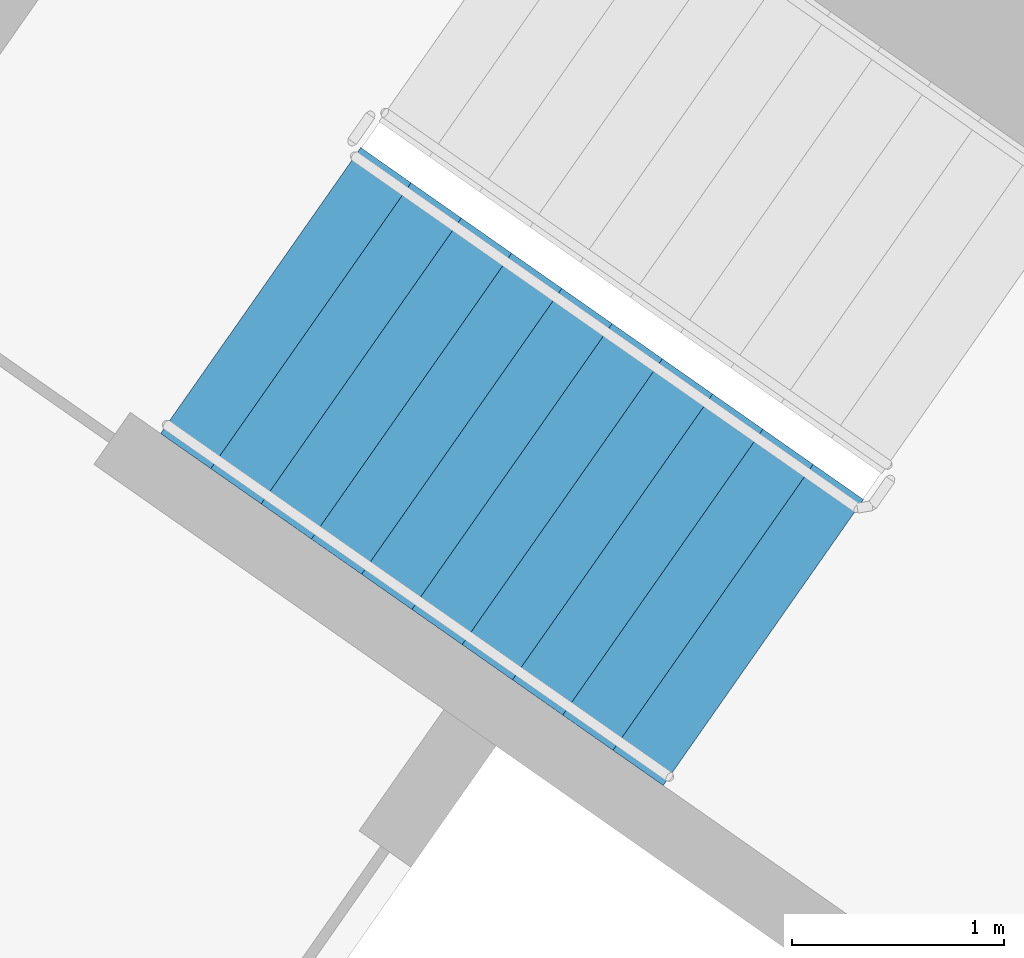
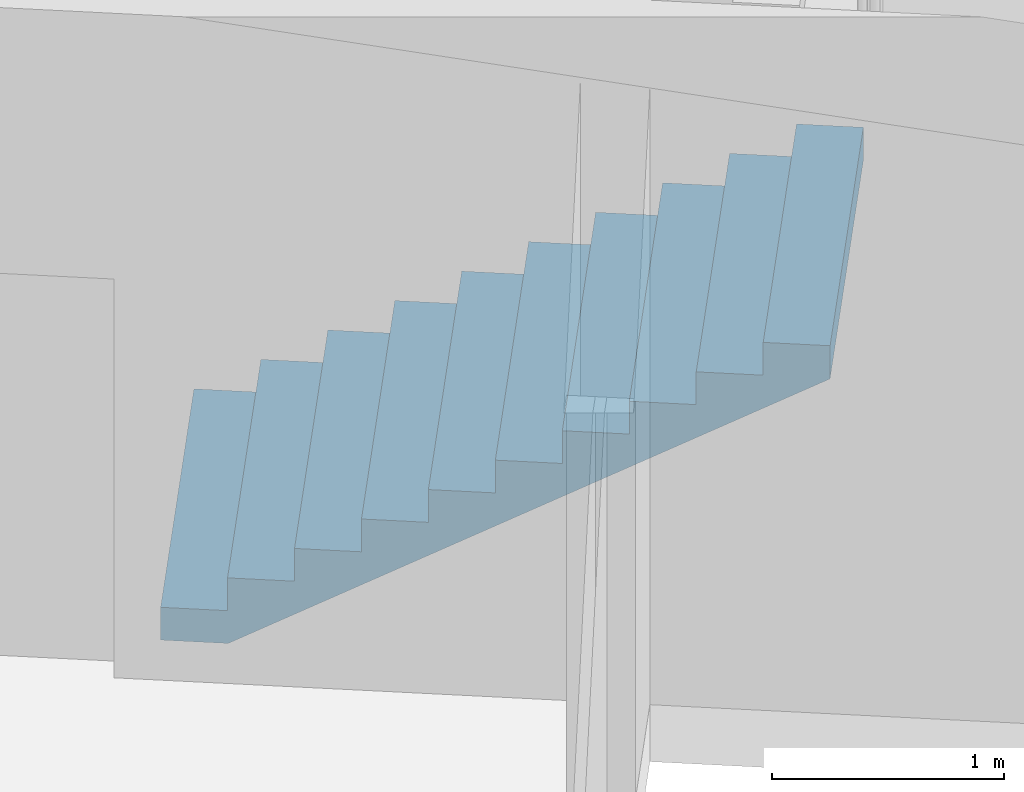
# One storey, part 13 of 27: 1 stair flight, 1 element without a shape of its own.
"""IFC4 building model written with IfcOpenShell, lengths in metres."""

import ifcopenshell
import ifcopenshell.guid

model = None  # the IFC model being written
_history = None  # IfcOwnerHistory: only IFC2X3 demands one
_inside = {}  # id of a spatial element -> (the spatial element, [elements in it])
_under = {}  # id of a project, library or spatial element -> (it, [spatial elements below it])
_declared = {}  # id of a project -> (the project, [libraries it declares])
_typed = {}  # id of a type object -> (the type object, [elements of that type])
_made_of = {}  # id of a material, layer set ... -> (it, [elements and type objects made of it])


def new_model(schema):
    """Start an empty IFC model of exactly this schema.

    Asked for "IFC4X3", IfcOpenShell would pick the latest addendum, in which some entities
    have other attributes; the version numbers below select the first issue.
    IFC2X3 requires an IfcOwnerHistory on every rooted entity: one is made here for all.
    """
    global model, _history
    if schema == "IFC4X3":
        model = ifcopenshell.file(schema_version=(4, 3, 0, 0))
    else:
        model = ifcopenshell.file(schema=schema)
    _inside.clear()
    _under.clear()
    _declared.clear()
    _typed.clear()
    _made_of.clear()
    _history = None
    if model.schema == "IFC2X3":
        org = make("IfcOrganization", Name="unknown")
        user = make(
            "IfcPersonAndOrganization",
            ThePerson=make("IfcPerson", FamilyName="unknown"),
            TheOrganization=org,
        )
        app = make(
            "IfcApplication",
            ApplicationDeveloper=org,
            Version="unknown",
            ApplicationFullName="unknown",
            ApplicationIdentifier="unknown",
        )
        _history = make(
            "IfcOwnerHistory",
            OwningUser=user,
            OwningApplication=app,
            ChangeAction="ADDED",
            CreationDate=0,
        )
    return model


def make(cls, **values):
    """One entity of the class cls with the attributes given. An attribute that is None is left unset."""
    return model.create_entity(
        cls, **{name: value for name, value in values.items() if value is not None}
    )


def rooted(cls, **values):
    """An entity with a GlobalId (a new one), such as an element, a storey or a relation."""
    return make(cls, GlobalId=ifcopenshell.guid.new(), OwnerHistory=_history, **values)


def si_unit(unit_type, name, prefix=None):
    """IfcSIUnit, for example si_unit("LENGTHUNIT", "METRE", prefix="MILLI")."""
    return make("IfcSIUnit", UnitType=unit_type, Prefix=prefix, Name=name)


def assignment(units):
    """IfcUnitAssignment: the units of a project."""
    return None if units is None else make("IfcUnitAssignment", Units=units)


def point(xyz):
    """IfcCartesianPoint."""
    return None if xyz is None else make("IfcCartesianPoint", Coordinates=xyz)


def direction(xyz):
    """IfcDirection."""
    return None if xyz is None else make("IfcDirection", DirectionRatios=xyz)


def frame(location, z_axis=None, x_axis=None):
    """IfcAxis2Placement3D, a coordinate frame: its origin and axes. An axis left out is left unset."""
    return make(
        "IfcAxis2Placement3D",
        Location=point(location),
        Axis=direction(z_axis),
        RefDirection=direction(x_axis),
    )


def origin():
    """The frame at (0, 0, 0) with its axes left unset."""
    return frame((0.0, 0.0, 0.0))


def place(relative_to, where):
    """IfcLocalPlacement: puts the frame where relative to a parent placement (None: the world)."""
    return make(
        "IfcLocalPlacement", PlacementRelTo=relative_to, RelativePlacement=where
    )


def context(
    kind, dimensions, precision=None, world=None, true_north=None, identifier=None
):
    """IfcGeometricRepresentationContext, for example the 3D "Model" context."""
    return make(
        "IfcGeometricRepresentationContext",
        ContextIdentifier=identifier,
        ContextType=kind,
        CoordinateSpaceDimension=dimensions,
        Precision=precision,
        WorldCoordinateSystem=world,
        TrueNorth=true_north,
    )


def subcontext(parent, identifier, kind, view, scale=None):
    """IfcGeometricRepresentationSubContext, for example "Body" below "Model"."""
    return make(
        "IfcGeometricRepresentationSubContext",
        ContextIdentifier=identifier,
        ContextType=kind,
        ParentContext=parent,
        TargetScale=scale,
        TargetView=view,
    )


def project(units=None, contexts=None):
    """IfcProject with its units and contexts."""
    return rooted(
        "IfcProject",
        Name="project",
        RepresentationContexts=contexts,
        UnitsInContext=assignment(units),
    )


def spatial(cls, under=None, at=None, **own):
    """A site, building, storey or space (cls), placed at a placement, below another one or the project."""
    s = rooted(cls, ObjectPlacement=at, **own)
    if under is not None:
        _under.setdefault(under.id(), (under, []))[1].append(s)
    return s


def faces_of(points, faces, orient=None, outer=None):
    """IfcFace entities. A face is a list of loops; a loop is a list of indices into points, from 0.

    orient and outer hold one flag for each loop. By default every Orientation is true, the
    first loop of a face is its IfcFaceOuterBound and the others are IfcFaceBound.
    """
    made = []
    for i, loops in enumerate(faces):
        bounds = []
        for j, loop in enumerate(loops):
            is_outer = j == 0 if outer is None else outer[i][j]
            bounds.append(
                make(
                    "IfcFaceOuterBound" if is_outer else "IfcFaceBound",
                    Bound=make("IfcPolyLoop", Polygon=[points[k] for k in loop]),
                    Orientation=True if orient is None else orient[i][j],
                )
            )
        made.append(make("IfcFace", Bounds=bounds))
    return made


def faceted_brep(points, faces, orient=None, outer=None, voids=None):
    """IfcFacetedBrep: a solid bounded by flat faces; with voids (closed shells), ...WithVoids."""
    shared = [point(p) for p in points]
    hull = make("IfcClosedShell", CfsFaces=faces_of(shared, faces, orient, outer))
    if voids is None:
        return make("IfcFacetedBrep", Outer=hull)
    return make(
        "IfcFacetedBrepWithVoids",
        Outer=hull,
        Voids=[
            make(cls, CfsFaces=faces_of(shared, fs, o, b)) for cls, fs, o, b in voids
        ],
    )


def shape(context_of_items, identifier, shape_type, items):
    """IfcShapeRepresentation: the items that make up one representation, for example the "Body"."""
    return make(
        "IfcShapeRepresentation",
        ContextOfItems=context_of_items,
        RepresentationIdentifier=identifier,
        RepresentationType=shape_type,
        Items=items,
    )


def material(Name=None, Category=None):
    """IfcMaterial."""
    return make("IfcMaterial", Name=Name, Category=Category)


def made_of(thing, what):
    """Note that an element or type object is made of a material, layer set ...; save() writes the relation."""
    if what is not None:
        _made_of.setdefault(what.id(), (what, []))[1].append(thing)
    return thing


def type_object(cls, material=None, **own):
    """A type object (cls), such as IfcWallType, which elements share."""
    return made_of(rooted(cls, **own), material)


def element(
    cls,
    number,
    at=None,
    inside=None,
    cuts=None,
    type_object=None,
    material=None,
    context=None,
    identifier="Body",
    shape_type=None,
    held_by="IfcProductDefinitionShape",
    body=None,
    shapes=None,
    **own,
):
    """One element of the class cls, such as IfcWall. Its Tag is "e" and its number.

    at: its placement. inside: the storey or other place that contains it. cuts: it is an
    opening in that element (IfcRelVoidsElement). A single representation is given by context,
    identifier, shape_type and body (its items); several are given by shapes. held_by: the class
    of the entity that holds the representations. save() writes the other relations.
    """
    e = rooted(cls, Tag="e%d" % number, ObjectPlacement=at, **own)
    if body is not None:
        shapes = [shape(context, identifier, shape_type, body)]
    if shapes is not None:
        e.Representation = make(held_by, Representations=shapes)
    if inside is not None:
        _inside.setdefault(inside.id(), (inside, []))[1].append(e)
    if cuts is not None:
        rooted(
            "IfcRelVoidsElement", RelatingBuildingElement=cuts, RelatedOpeningElement=e
        )
    if type_object is not None:
        _typed.setdefault(type_object.id(), (type_object, []))[1].append(e)
    return made_of(e, material)


def aggregate(whole, parts):
    """IfcRelAggregates: a whole, such as a stair, and the parts it consists of."""
    return rooted("IfcRelAggregates", RelatingObject=whole, RelatedObjects=parts)


def save(model, path):
    """Write the relations noted so far, then the file.

    IfcRelAggregates (storeys below a building ...), IfcRelContainedInSpatialStructure (elements
    in a storey), IfcRelDefinesByType, IfcRelAssociatesMaterial and IfcRelDeclares: one each for
    every whole, place, type object, material and project.
    """
    for whole, parts in _under.values():
        aggregate(whole, parts)
    for where, things in _inside.values():
        rooted(
            "IfcRelContainedInSpatialStructure",
            RelatedElements=things,
            RelatingStructure=where,
        )
    for kind, things in _typed.values():
        rooted("IfcRelDefinesByType", RelatedObjects=things, RelatingType=kind)
    for what, things in _made_of.values():
        rooted("IfcRelAssociatesMaterial", RelatedObjects=things, RelatingMaterial=what)
    for by, libraries in _declared.values():
        rooted("IfcRelDeclares", RelatingContext=by, RelatedDefinitions=libraries)
    model.write(path)


model = new_model("IFC4")

# Units and contexts
model_context = context("Model", 3, precision=1e-05, world=origin(), true_north=direction((0.0, 1.0)))
body_context = subcontext(model_context, "Body", "Model", "MODEL_VIEW")
ifc_project = project(units=[si_unit("LENGTHUNIT", "METRE"), si_unit("AREAUNIT", "SQUARE_METRE"), si_unit("VOLUMEUNIT", "CUBIC_METRE"), si_unit("PLANEANGLEUNIT", "RADIAN"), si_unit("MASSUNIT", "GRAM", prefix="KILO")], contexts=[model_context])

# Site, building, storey
site_placement = place(None, origin())
site = spatial("IfcSite", under=ifc_project, at=site_placement, CompositionType="ELEMENT")
building_placement = place(site_placement, origin())
building = spatial("IfcBuilding", under=site, at=building_placement, Name="Qamariyya Broadcast Tower", CompositionType="ELEMENT")
storey_placement = place(building_placement, frame((0.0, 0.0, 179.699951171875)))
storey = spatial("IfcBuildingStorey", under=building, at=storey_placement, Name="L42", CompositionType="ELEMENT", Elevation=179.699951171875)

# Stair, stair flight
ifc_material = material(Name="Concrete C50/60", Category="concrete")
stair_type = type_object("IfcStairType", Name="Exit stair 22 risers of 173 mm", PredefinedType="HALF_TURN_STAIR", material=ifc_material)
stair_placement = place(storey_placement, origin())
stair = element("IfcStair", 1, at=stair_placement, inside=storey, type_object=stair_type, Name="L42 Stair W2", PredefinedType="HALF_TURN_STAIR")
stair_flight_type = type_object("IfcStairFlightType", Name="Exit stair flight 11 risers of 173 mm", PredefinedType="STRAIGHT", material=ifc_material)
stair_flight_placement = place(storey_placement, frame((-41.59130859375, -49.15966796875, 0.0), z_axis=(0.0, 0.0, 1.0), x_axis=(0.819152044289, -0.573576436351, 0.0)))
stair_flight = element("IfcStairFlight", 2, at=stair_flight_placement, type_object=stair_flight_type, Name="ST-W2 flight 1", NumberOfRisers=11, NumberOfTreads=10, PredefinedType="STRAIGHT", RiserHeight=0.172727273, TreadLength=0.29, context=body_context, shape_type="Brep", body=[
    faceted_brep([(0.0, 0.824951171875, 0.0), (0.0, 0.824951171875, 0.172607421875), (0.2900390625, 0.824951171875, 0.172607421875), (0.2900390625, 0.824951171875, 0.345458984375), (0.580078125, 0.824951171875, 0.345458984375), (0.580078125, 0.824951171875, 0.51806640625), (0.8701171875, 0.824951171875, 0.51806640625), (0.8701171875, 0.824951171875, 0.69091796875), (1.159912109375, 0.824951171875, 0.69091796875), (1.159912109375, 0.824951171875, 0.863525390625), (1.449951171875, 0.824951171875, 0.863525390625), (1.449951171875, 0.824951171875, 1.036376953125), (1.739990234375, 0.824951171875, 1.036376953125), (1.739990234375, 0.824951171875, 1.208984375), (2.030029296875, 0.824951171875, 1.208984375), (2.030029296875, 0.824951171875, 1.3818359375), (2.320068359375, 0.824951171875, 1.3818359375), (2.320068359375, 0.824951171875, 1.554443359375), (2.610107421875, 0.824951171875, 1.554443359375), (2.610107421875, 0.824951171875, 1.727294921875), (2.89990234375, 0.824951171875, 1.727294921875), (2.89990234375, 0.824951171875, 1.552734375), (0.29296875, 0.824951171875, 0.0), (0.29296875, -0.824951171875, 0.0), (2.89990234375, -0.824951171875, 1.552734375), (2.89990234375, -0.824951171875, 1.727294921875), (2.610107421875, -0.824951171875, 1.727294921875), (2.610107421875, -0.824951171875, 1.554443359375), (2.320068359375, -0.824951171875, 1.554443359375), (2.320068359375, -0.824951171875, 1.3818359375), (2.030029296875, -0.824951171875, 1.3818359375), (2.030029296875, -0.824951171875, 1.208984375), (1.739990234375, -0.824951171875, 1.208984375), (1.739990234375, -0.824951171875, 1.036376953125), (1.449951171875, -0.824951171875, 1.036376953125), (1.449951171875, -0.824951171875, 0.863525390625), (1.159912109375, -0.824951171875, 0.863525390625), (1.159912109375, -0.824951171875, 0.69091796875), (0.8701171875, -0.824951171875, 0.69091796875), (0.8701171875, -0.824951171875, 0.51806640625), (0.580078125, -0.824951171875, 0.51806640625), (0.580078125, -0.824951171875, 0.345458984375), (0.2900390625, -0.824951171875, 0.345458984375), (0.2900390625, -0.824951171875, 0.172607421875), (0.0, -0.824951171875, 0.172607421875), (0.0, -0.824951171875, 0.0), (0.0, 0.10009765625, 0.0), (0.0, 0.086669921875, 0.0), (0.0, 0.0732421875, 0.0), (0.0, 0.06005859375, 0.0), (0.0, 0.046630859375, 0.0), (0.0, 0.033447265625, 0.0), (0.0, 0.02001953125, 0.0), (0.0, 0.006591796875, 0.0), (0.0, -0.006591796875, 0.0), (0.0, -0.02001953125, 0.0), (0.0, -0.033447265625, 0.0), (0.0, -0.046630859375, 0.0), (0.0, -0.06005859375, 0.0), (0.0, -0.0732421875, 0.0), (0.0, -0.086669921875, 0.0), (0.0, -0.10009765625, 0.0), (0.0, -0.10009765625, 0.172607421875), (0.0, -0.086669921875, 0.172607421875), (0.0, -0.0732421875, 0.172607421875), (0.0, -0.06005859375, 0.172607421875), (0.0, -0.046630859375, 0.172607421875), (0.0, -0.033447265625, 0.172607421875), (0.0, -0.02001953125, 0.172607421875), (0.0, -0.006591796875, 0.172607421875), (0.0, 0.006591796875, 0.172607421875), (0.0, 0.02001953125, 0.172607421875), (0.0, 0.033447265625, 0.172607421875), (0.0, 0.046630859375, 0.172607421875), (0.0, 0.06005859375, 0.172607421875), (0.0, 0.0732421875, 0.172607421875), (0.0, 0.086669921875, 0.172607421875), (0.0, 0.10009765625, 0.172607421875), (0.2900390625, -0.10009765625, 0.172607421875), (0.2900390625, -0.086669921875, 0.172607421875), (0.2900390625, -0.0732421875, 0.172607421875), (0.2900390625, -0.06005859375, 0.172607421875), (0.2900390625, -0.046630859375, 0.172607421875), (0.2900390625, -0.033447265625, 0.172607421875), (0.2900390625, -0.02001953125, 0.172607421875), (0.2900390625, -0.006591796875, 0.172607421875), (0.2900390625, 0.006591796875, 0.172607421875), (0.2900390625, 0.02001953125, 0.172607421875), (0.2900390625, 0.033447265625, 0.172607421875), (0.2900390625, 0.046630859375, 0.172607421875), (0.2900390625, 0.06005859375, 0.172607421875), (0.2900390625, 0.0732421875, 0.172607421875), (0.2900390625, 0.086669921875, 0.172607421875), (0.2900390625, 0.10009765625, 0.172607421875), (0.2900390625, -0.10009765625, 0.345458984375), (0.2900390625, -0.086669921875, 0.345458984375), (0.2900390625, -0.0732421875, 0.345458984375), (0.2900390625, -0.06005859375, 0.345458984375), (0.2900390625, -0.046630859375, 0.345458984375), (0.2900390625, -0.033447265625, 0.345458984375), (0.2900390625, -0.02001953125, 0.345458984375), (0.2900390625, -0.006591796875, 0.345458984375), (0.2900390625, 0.006591796875, 0.345458984375), (0.2900390625, 0.02001953125, 0.345458984375), (0.2900390625, 0.033447265625, 0.345458984375), (0.2900390625, 0.046630859375, 0.345458984375), (0.2900390625, 0.06005859375, 0.345458984375), (0.2900390625, 0.0732421875, 0.345458984375), (0.2900390625, 0.086669921875, 0.345458984375), (0.2900390625, 0.10009765625, 0.345458984375), (0.580078125, -0.10009765625, 0.345458984375), (0.580078125, -0.086669921875, 0.345458984375), (0.580078125, -0.0732421875, 0.345458984375), (0.580078125, -0.06005859375, 0.345458984375), (0.580078125, -0.046630859375, 0.345458984375), (0.580078125, -0.033447265625, 0.345458984375), (0.580078125, -0.02001953125, 0.345458984375), (0.580078125, -0.006591796875, 0.345458984375), (0.580078125, 0.006591796875, 0.345458984375), (0.580078125, 0.02001953125, 0.345458984375), (0.580078125, 0.033447265625, 0.345458984375), (0.580078125, 0.046630859375, 0.345458984375), (0.580078125, 0.06005859375, 0.345458984375), (0.580078125, 0.0732421875, 0.345458984375), (0.580078125, 0.086669921875, 0.345458984375), (0.580078125, 0.10009765625, 0.345458984375), (0.580078125, -0.10009765625, 0.51806640625), (0.580078125, -0.086669921875, 0.51806640625), (0.580078125, -0.0732421875, 0.51806640625), (0.580078125, -0.06005859375, 0.51806640625), (0.580078125, -0.046630859375, 0.51806640625), (0.580078125, -0.033447265625, 0.51806640625), (0.580078125, -0.02001953125, 0.51806640625), (0.580078125, -0.006591796875, 0.51806640625), (0.580078125, 0.006591796875, 0.51806640625), (0.580078125, 0.02001953125, 0.51806640625), (0.580078125, 0.033447265625, 0.51806640625), (0.580078125, 0.046630859375, 0.51806640625), (0.580078125, 0.06005859375, 0.51806640625), (0.580078125, 0.0732421875, 0.51806640625), (0.580078125, 0.086669921875, 0.51806640625), (0.580078125, 0.10009765625, 0.51806640625), (0.8701171875, -0.10009765625, 0.51806640625), (0.8701171875, -0.086669921875, 0.51806640625), (0.8701171875, -0.0732421875, 0.51806640625), (0.8701171875, -0.06005859375, 0.51806640625), (0.8701171875, -0.046630859375, 0.51806640625), (0.8701171875, -0.033447265625, 0.51806640625), (0.8701171875, -0.02001953125, 0.51806640625), (0.8701171875, -0.006591796875, 0.51806640625), (0.8701171875, 0.006591796875, 0.51806640625), (0.8701171875, 0.02001953125, 0.51806640625), (0.8701171875, 0.033447265625, 0.51806640625), (0.8701171875, 0.046630859375, 0.51806640625), (0.8701171875, 0.06005859375, 0.51806640625), (0.8701171875, 0.0732421875, 0.51806640625), (0.8701171875, 0.086669921875, 0.51806640625), (0.8701171875, 0.10009765625, 0.51806640625), (0.8701171875, -0.10009765625, 0.69091796875), (0.8701171875, -0.086669921875, 0.69091796875), (0.8701171875, -0.0732421875, 0.69091796875), (0.8701171875, -0.06005859375, 0.69091796875), (0.8701171875, -0.046630859375, 0.69091796875), (0.8701171875, -0.033447265625, 0.69091796875), (0.8701171875, -0.02001953125, 0.69091796875), (0.8701171875, -0.006591796875, 0.69091796875), (0.8701171875, 0.006591796875, 0.69091796875), (0.8701171875, 0.02001953125, 0.69091796875), (0.8701171875, 0.033447265625, 0.69091796875), (0.8701171875, 0.046630859375, 0.69091796875), (0.8701171875, 0.06005859375, 0.69091796875), (0.8701171875, 0.0732421875, 0.69091796875), (0.8701171875, 0.086669921875, 0.69091796875), (0.8701171875, 0.10009765625, 0.69091796875), (1.159912109375, -0.10009765625, 0.69091796875), (1.159912109375, -0.086669921875, 0.69091796875), (1.159912109375, -0.0732421875, 0.69091796875), (1.159912109375, -0.06005859375, 0.69091796875), (1.159912109375, -0.046630859375, 0.69091796875), (1.159912109375, -0.033447265625, 0.69091796875), (1.159912109375, -0.02001953125, 0.69091796875), (1.159912109375, -0.006591796875, 0.69091796875), (1.159912109375, 0.006591796875, 0.69091796875), (1.159912109375, 0.02001953125, 0.69091796875), (1.159912109375, 0.033447265625, 0.69091796875), (1.159912109375, 0.046630859375, 0.69091796875), (1.159912109375, 0.06005859375, 0.69091796875), (1.159912109375, 0.0732421875, 0.69091796875), (1.159912109375, 0.086669921875, 0.69091796875), (1.159912109375, 0.10009765625, 0.69091796875), (1.159912109375, -0.10009765625, 0.863525390625), (1.159912109375, -0.086669921875, 0.863525390625), (1.159912109375, -0.0732421875, 0.863525390625), (1.159912109375, -0.06005859375, 0.863525390625), (1.159912109375, -0.046630859375, 0.863525390625), (1.159912109375, -0.033447265625, 0.863525390625), (1.159912109375, -0.02001953125, 0.863525390625), (1.159912109375, -0.006591796875, 0.863525390625), (1.159912109375, 0.006591796875, 0.863525390625), (1.159912109375, 0.02001953125, 0.863525390625), (1.159912109375, 0.033447265625, 0.863525390625), (1.159912109375, 0.046630859375, 0.863525390625), (1.159912109375, 0.06005859375, 0.863525390625), (1.159912109375, 0.0732421875, 0.863525390625), (1.159912109375, 0.086669921875, 0.863525390625), (1.159912109375, 0.10009765625, 0.863525390625), (1.449951171875, -0.10009765625, 0.863525390625), (1.449951171875, -0.086669921875, 0.863525390625), (1.449951171875, -0.0732421875, 0.863525390625), (1.449951171875, -0.06005859375, 0.863525390625), (1.449951171875, -0.046630859375, 0.863525390625), (1.449951171875, -0.033447265625, 0.863525390625), (1.449951171875, -0.02001953125, 0.863525390625), (1.449951171875, -0.006591796875, 0.863525390625), (1.449951171875, 0.006591796875, 0.863525390625), (1.449951171875, 0.02001953125, 0.863525390625), (1.449951171875, 0.033447265625, 0.863525390625), (1.449951171875, 0.046630859375, 0.863525390625), (1.449951171875, 0.06005859375, 0.863525390625), (1.449951171875, 0.0732421875, 0.863525390625), (1.449951171875, 0.086669921875, 0.863525390625), (1.449951171875, 0.10009765625, 0.863525390625), (1.449951171875, -0.10009765625, 1.036376953125), (1.449951171875, -0.086669921875, 1.036376953125), (1.449951171875, -0.0732421875, 1.036376953125), (1.449951171875, -0.06005859375, 1.036376953125), (1.449951171875, -0.046630859375, 1.036376953125), (1.449951171875, -0.033447265625, 1.036376953125), (1.449951171875, -0.02001953125, 1.036376953125), (1.449951171875, -0.006591796875, 1.036376953125), (1.449951171875, 0.006591796875, 1.036376953125), (1.449951171875, 0.02001953125, 1.036376953125), (1.449951171875, 0.033447265625, 1.036376953125), (1.449951171875, 0.046630859375, 1.036376953125), (1.449951171875, 0.06005859375, 1.036376953125), (1.449951171875, 0.0732421875, 1.036376953125), (1.449951171875, 0.086669921875, 1.036376953125), (1.449951171875, 0.10009765625, 1.036376953125), (1.739990234375, -0.10009765625, 1.036376953125), (1.739990234375, -0.086669921875, 1.036376953125), (1.739990234375, -0.0732421875, 1.036376953125), (1.739990234375, -0.06005859375, 1.036376953125), (1.739990234375, -0.046630859375, 1.036376953125), (1.739990234375, -0.033447265625, 1.036376953125), (1.739990234375, -0.02001953125, 1.036376953125), (1.739990234375, -0.006591796875, 1.036376953125), (1.739990234375, 0.006591796875, 1.036376953125), (1.739990234375, 0.02001953125, 1.036376953125), (1.739990234375, 0.033447265625, 1.036376953125), (1.739990234375, 0.046630859375, 1.036376953125), (1.739990234375, 0.06005859375, 1.036376953125), (1.739990234375, 0.0732421875, 1.036376953125), (1.739990234375, 0.086669921875, 1.036376953125), (1.739990234375, 0.10009765625, 1.036376953125), (1.739990234375, -0.10009765625, 1.208984375), (1.739990234375, -0.086669921875, 1.208984375), (1.739990234375, -0.0732421875, 1.208984375), (1.739990234375, -0.06005859375, 1.208984375), (1.739990234375, -0.046630859375, 1.208984375), (1.739990234375, -0.033447265625, 1.208984375), (1.739990234375, -0.02001953125, 1.208984375), (1.739990234375, -0.006591796875, 1.208984375), (1.739990234375, 0.006591796875, 1.208984375), (1.739990234375, 0.02001953125, 1.208984375), (1.739990234375, 0.033447265625, 1.208984375), (1.739990234375, 0.046630859375, 1.208984375), (1.739990234375, 0.06005859375, 1.208984375), (1.739990234375, 0.0732421875, 1.208984375), (1.739990234375, 0.086669921875, 1.208984375), (1.739990234375, 0.10009765625, 1.208984375), (2.030029296875, -0.10009765625, 1.208984375), (2.030029296875, -0.086669921875, 1.208984375), (2.030029296875, -0.0732421875, 1.208984375), (2.030029296875, -0.06005859375, 1.208984375), (2.030029296875, -0.046630859375, 1.208984375), (2.030029296875, -0.033447265625, 1.208984375), (2.030029296875, -0.02001953125, 1.208984375), (2.030029296875, -0.006591796875, 1.208984375), (2.030029296875, 0.006591796875, 1.208984375), (2.030029296875, 0.02001953125, 1.208984375), (2.030029296875, 0.033447265625, 1.208984375), (2.030029296875, 0.046630859375, 1.208984375), (2.030029296875, 0.06005859375, 1.208984375), (2.030029296875, 0.0732421875, 1.208984375), (2.030029296875, 0.086669921875, 1.208984375), (2.030029296875, 0.10009765625, 1.208984375), (2.030029296875, -0.10009765625, 1.3818359375), (2.030029296875, -0.086669921875, 1.3818359375), (2.030029296875, -0.0732421875, 1.3818359375), (2.030029296875, -0.06005859375, 1.3818359375), (2.030029296875, -0.046630859375, 1.3818359375), (2.030029296875, -0.033447265625, 1.3818359375), (2.030029296875, -0.02001953125, 1.3818359375), (2.030029296875, -0.006591796875, 1.3818359375), (2.030029296875, 0.006591796875, 1.3818359375), (2.030029296875, 0.02001953125, 1.3818359375), (2.030029296875, 0.033447265625, 1.3818359375), (2.030029296875, 0.046630859375, 1.3818359375), (2.030029296875, 0.06005859375, 1.3818359375), (2.030029296875, 0.0732421875, 1.3818359375), (2.030029296875, 0.086669921875, 1.3818359375), (2.030029296875, 0.10009765625, 1.3818359375), (2.320068359375, -0.10009765625, 1.3818359375), (2.320068359375, -0.086669921875, 1.3818359375), (2.320068359375, -0.0732421875, 1.3818359375), (2.320068359375, -0.06005859375, 1.3818359375), (2.320068359375, -0.046630859375, 1.3818359375), (2.320068359375, -0.033447265625, 1.3818359375), (2.320068359375, -0.02001953125, 1.3818359375), (2.320068359375, -0.006591796875, 1.3818359375), (2.320068359375, 0.006591796875, 1.3818359375), (2.320068359375, 0.02001953125, 1.3818359375), (2.320068359375, 0.033447265625, 1.3818359375), (2.320068359375, 0.046630859375, 1.3818359375), (2.320068359375, 0.06005859375, 1.3818359375), (2.320068359375, 0.0732421875, 1.3818359375), (2.320068359375, 0.086669921875, 1.3818359375), (2.320068359375, 0.10009765625, 1.3818359375), (2.320068359375, -0.10009765625, 1.554443359375), (2.320068359375, -0.086669921875, 1.554443359375), (2.320068359375, -0.0732421875, 1.554443359375), (2.320068359375, -0.06005859375, 1.554443359375), (2.320068359375, -0.046630859375, 1.554443359375), (2.320068359375, -0.033447265625, 1.554443359375), (2.320068359375, -0.02001953125, 1.554443359375), (2.320068359375, -0.006591796875, 1.554443359375), (2.320068359375, 0.006591796875, 1.554443359375), (2.320068359375, 0.02001953125, 1.554443359375), (2.320068359375, 0.033447265625, 1.554443359375), (2.320068359375, 0.046630859375, 1.554443359375), (2.320068359375, 0.06005859375, 1.554443359375), (2.320068359375, 0.0732421875, 1.554443359375), (2.320068359375, 0.086669921875, 1.554443359375), (2.320068359375, 0.10009765625, 1.554443359375), (2.610107421875, -0.10009765625, 1.554443359375), (2.610107421875, -0.086669921875, 1.554443359375), (2.610107421875, -0.0732421875, 1.554443359375), (2.610107421875, -0.06005859375, 1.554443359375), (2.610107421875, -0.046630859375, 1.554443359375), (2.610107421875, -0.033447265625, 1.554443359375), (2.610107421875, -0.02001953125, 1.554443359375), (2.610107421875, -0.006591796875, 1.554443359375), (2.610107421875, 0.006591796875, 1.554443359375), (2.610107421875, 0.02001953125, 1.554443359375), (2.610107421875, 0.033447265625, 1.554443359375), (2.610107421875, 0.046630859375, 1.554443359375), (2.610107421875, 0.06005859375, 1.554443359375), (2.610107421875, 0.0732421875, 1.554443359375), (2.610107421875, 0.086669921875, 1.554443359375), (2.610107421875, 0.10009765625, 1.554443359375), (2.610107421875, -0.10009765625, 1.727294921875), (2.610107421875, -0.086669921875, 1.727294921875), (2.610107421875, -0.0732421875, 1.727294921875), (2.610107421875, -0.06005859375, 1.727294921875), (2.610107421875, -0.046630859375, 1.727294921875), (2.610107421875, -0.033447265625, 1.727294921875), (2.610107421875, -0.02001953125, 1.727294921875), (2.610107421875, -0.006591796875, 1.727294921875), (2.610107421875, 0.006591796875, 1.727294921875), (2.610107421875, 0.02001953125, 1.727294921875), (2.610107421875, 0.033447265625, 1.727294921875), (2.610107421875, 0.046630859375, 1.727294921875), (2.610107421875, 0.06005859375, 1.727294921875), (2.610107421875, 0.0732421875, 1.727294921875), (2.610107421875, 0.086669921875, 1.727294921875), (2.610107421875, 0.10009765625, 1.727294921875), (2.89990234375, -0.10009765625, 1.727294921875), (2.89990234375, -0.086669921875, 1.727294921875), (2.89990234375, -0.0732421875, 1.727294921875), (2.89990234375, -0.06005859375, 1.727294921875), (2.89990234375, -0.046630859375, 1.727294921875), (2.89990234375, -0.033447265625, 1.727294921875), (2.89990234375, -0.02001953125, 1.727294921875), (2.89990234375, -0.006591796875, 1.727294921875), (2.89990234375, 0.006591796875, 1.727294921875), (2.89990234375, 0.02001953125, 1.727294921875), (2.89990234375, 0.033447265625, 1.727294921875), (2.89990234375, 0.046630859375, 1.727294921875), (2.89990234375, 0.06005859375, 1.727294921875), (2.89990234375, 0.0732421875, 1.727294921875), (2.89990234375, 0.086669921875, 1.727294921875), (2.89990234375, 0.10009765625, 1.727294921875), (2.89990234375, -0.10009765625, 1.552734375), (2.89990234375, -0.086669921875, 1.552734375), (2.89990234375, -0.0732421875, 1.552734375), (2.89990234375, -0.06005859375, 1.552734375), (2.89990234375, -0.046630859375, 1.552734375), (2.89990234375, -0.033447265625, 1.552734375), (2.89990234375, -0.02001953125, 1.552734375), (2.89990234375, -0.006591796875, 1.552734375), (2.89990234375, 0.006591796875, 1.552734375), (2.89990234375, 0.02001953125, 1.552734375), (2.89990234375, 0.033447265625, 1.552734375), (2.89990234375, 0.046630859375, 1.552734375), (2.89990234375, 0.06005859375, 1.552734375), (2.89990234375, 0.0732421875, 1.552734375), (2.89990234375, 0.086669921875, 1.552734375), (2.89990234375, 0.10009765625, 1.552734375), (0.29296875, -0.10009765625, 0.0), (0.29296875, -0.086669921875, 0.0), (0.29296875, -0.0732421875, 0.0), (0.29296875, -0.06005859375, 0.0), (0.29296875, -0.046630859375, 0.0), (0.29296875, -0.033447265625, 0.0), (0.29296875, -0.02001953125, 0.0), (0.29296875, -0.006591796875, 0.0), (0.29296875, 0.006591796875, 0.0), (0.29296875, 0.02001953125, 0.0), (0.29296875, 0.033447265625, 0.0), (0.29296875, 0.046630859375, 0.0), (0.29296875, 0.06005859375, 0.0), (0.29296875, 0.0732421875, 0.0), (0.29296875, 0.086669921875, 0.0), (0.29296875, 0.10009765625, 0.0)], [[[0, 1, 2, 3, 4, 5, 6, 7, 8, 9, 10, 11, 12, 13, 14, 15, 16, 17, 18, 19, 20, 21, 22]], [[23, 24, 25, 26, 27, 28, 29, 30, 31, 32, 33, 34, 35, 36, 37, 38, 39, 40, 41, 42, 43, 44, 45]], [[0, 46, 47, 48, 49, 50, 51, 52, 53, 54, 55, 56, 57, 58, 59, 60, 61, 45, 44, 62, 63, 64, 65, 66, 67, 68, 69, 70, 71, 72, 73, 74, 75, 76, 77, 1]], [[1, 77, 76, 75, 74, 73, 72, 71, 70, 69, 68, 67, 66, 65, 64, 63, 62, 44, 43, 78, 79, 80, 81, 82, 83, 84, 85, 86, 87, 88, 89, 90, 91, 92, 93, 2]], [[2, 93, 92, 91, 90, 89, 88, 87, 86, 85, 84, 83, 82, 81, 80, 79, 78, 43, 42, 94, 95, 96, 97, 98, 99, 100, 101, 102, 103, 104, 105, 106, 107, 108, 109, 3]], [[3, 109, 108, 107, 106, 105, 104, 103, 102, 101, 100, 99, 98, 97, 96, 95, 94, 42, 41, 110, 111, 112, 113, 114, 115, 116, 117, 118, 119, 120, 121, 122, 123, 124, 125, 4]], [[4, 125, 124, 123, 122, 121, 120, 119, 118, 117, 116, 115, 114, 113, 112, 111, 110, 41, 40, 126, 127, 128, 129, 130, 131, 132, 133, 134, 135, 136, 137, 138, 139, 140, 141, 5]], [[5, 141, 140, 139, 138, 137, 136, 135, 134, 133, 132, 131, 130, 129, 128, 127, 126, 40, 39, 142, 143, 144, 145, 146, 147, 148, 149, 150, 151, 152, 153, 154, 155, 156, 157, 6]], [[6, 157, 156, 155, 154, 153, 152, 151, 150, 149, 148, 147, 146, 145, 144, 143, 142, 39, 38, 158, 159, 160, 161, 162, 163, 164, 165, 166, 167, 168, 169, 170, 171, 172, 173, 7]], [[7, 173, 172, 171, 170, 169, 168, 167, 166, 165, 164, 163, 162, 161, 160, 159, 158, 38, 37, 174, 175, 176, 177, 178, 179, 180, 181, 182, 183, 184, 185, 186, 187, 188, 189, 8]], [[8, 189, 188, 187, 186, 185, 184, 183, 182, 181, 180, 179, 178, 177, 176, 175, 174, 37, 36, 190, 191, 192, 193, 194, 195, 196, 197, 198, 199, 200, 201, 202, 203, 204, 205, 9]], [[9, 205, 204, 203, 202, 201, 200, 199, 198, 197, 196, 195, 194, 193, 192, 191, 190, 36, 35, 206, 207, 208, 209, 210, 211, 212, 213, 214, 215, 216, 217, 218, 219, 220, 221, 10]], [[10, 221, 220, 219, 218, 217, 216, 215, 214, 213, 212, 211, 210, 209, 208, 207, 206, 35, 34, 222, 223, 224, 225, 226, 227, 228, 229, 230, 231, 232, 233, 234, 235, 236, 237, 11]], [[11, 237, 236, 235, 234, 233, 232, 231, 230, 229, 228, 227, 226, 225, 224, 223, 222, 34, 33, 238, 239, 240, 241, 242, 243, 244, 245, 246, 247, 248, 249, 250, 251, 252, 253, 12]], [[12, 253, 252, 251, 250, 249, 248, 247, 246, 245, 244, 243, 242, 241, 240, 239, 238, 33, 32, 254, 255, 256, 257, 258, 259, 260, 261, 262, 263, 264, 265, 266, 267, 268, 269, 13]], [[13, 269, 268, 267, 266, 265, 264, 263, 262, 261, 260, 259, 258, 257, 256, 255, 254, 32, 31, 270, 271, 272, 273, 274, 275, 276, 277, 278, 279, 280, 281, 282, 283, 284, 285, 14]], [[14, 285, 284, 283, 282, 281, 280, 279, 278, 277, 276, 275, 274, 273, 272, 271, 270, 31, 30, 286, 287, 288, 289, 290, 291, 292, 293, 294, 295, 296, 297, 298, 299, 300, 301, 15]], [[15, 301, 300, 299, 298, 297, 296, 295, 294, 293, 292, 291, 290, 289, 288, 287, 286, 30, 29, 302, 303, 304, 305, 306, 307, 308, 309, 310, 311, 312, 313, 314, 315, 316, 317, 16]], [[16, 317, 316, 315, 314, 313, 312, 311, 310, 309, 308, 307, 306, 305, 304, 303, 302, 29, 28, 318, 319, 320, 321, 322, 323, 324, 325, 326, 327, 328, 329, 330, 331, 332, 333, 17]], [[17, 333, 332, 331, 330, 329, 328, 327, 326, 325, 324, 323, 322, 321, 320, 319, 318, 28, 27, 334, 335, 336, 337, 338, 339, 340, 341, 342, 343, 344, 345, 346, 347, 348, 349, 18]], [[18, 349, 348, 347, 346, 345, 344, 343, 342, 341, 340, 339, 338, 337, 336, 335, 334, 27, 26, 350, 351, 352, 353, 354, 355, 356, 357, 358, 359, 360, 361, 362, 363, 364, 365, 19]], [[19, 365, 364, 363, 362, 361, 360, 359, 358, 357, 356, 355, 354, 353, 352, 351, 350, 26, 25, 366, 367, 368, 369, 370, 371, 372, 373, 374, 375, 376, 377, 378, 379, 380, 381, 20]], [[20, 381, 380, 379, 378, 377, 376, 375, 374, 373, 372, 371, 370, 369, 368, 367, 366, 25, 24, 382, 383, 384, 385, 386, 387, 388, 389, 390, 391, 392, 393, 394, 395, 396, 397, 21]], [[21, 397, 396, 395, 394, 393, 392, 391, 390, 389, 388, 387, 386, 385, 384, 383, 382, 24, 23, 398, 399, 400, 401, 402, 403, 404, 405, 406, 407, 408, 409, 410, 411, 412, 413, 22]], [[22, 413, 412, 411, 410, 409, 408, 407, 406, 405, 404, 403, 402, 401, 400, 399, 398, 23, 45, 61, 60, 59, 58, 57, 56, 55, 54, 53, 52, 51, 50, 49, 48, 47, 46, 0]]]),
])
aggregate(stair, [stair_flight])

save(model, "model.ifc")
